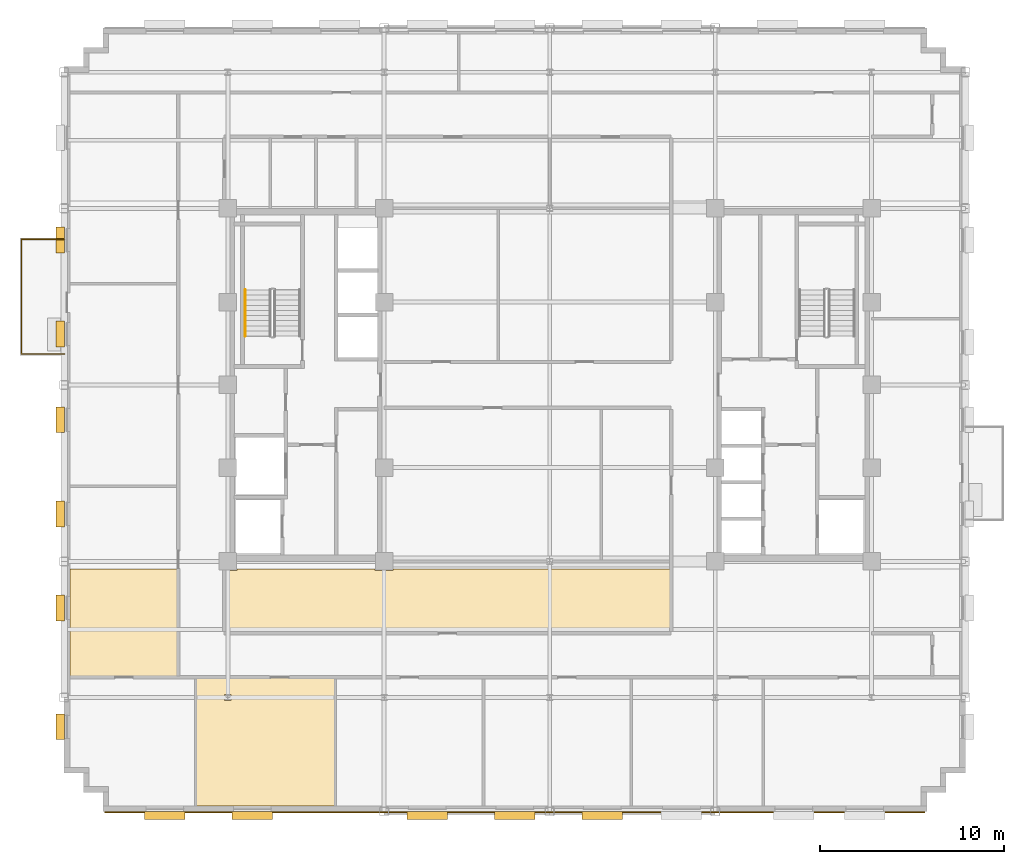
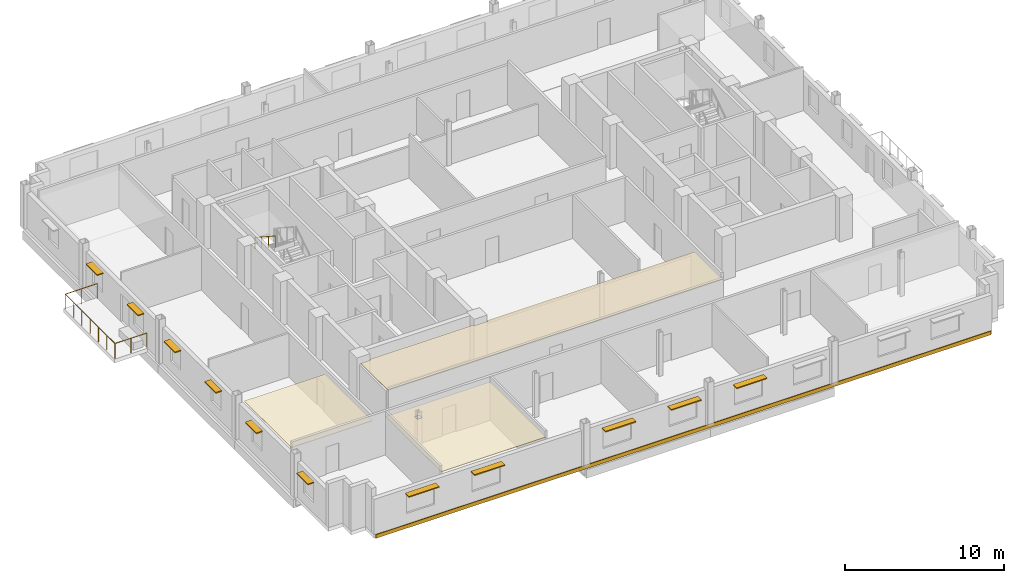
# One storey, part 12 of 15: 11 shading devices, 4 coverings, 2 railings.
"""IFC4 building model written with IfcOpenShell, lengths in metres."""

import ifcopenshell
import ifcopenshell.guid

model = None  # the IFC model being written
_history = None  # IfcOwnerHistory: only IFC2X3 demands one
_inside = {}  # id of a spatial element -> (the spatial element, [elements in it])
_under = {}  # id of a project, library or spatial element -> (it, [spatial elements below it])
_declared = {}  # id of a project -> (the project, [libraries it declares])
_typed = {}  # id of a type object -> (the type object, [elements of that type])
_made_of = {}  # id of a material, layer set ... -> (it, [elements and type objects made of it])


def new_model(schema):
    """Start an empty IFC model of exactly this schema.

    Asked for "IFC4X3", IfcOpenShell would pick the latest addendum, in which some entities
    have other attributes; the version numbers below select the first issue.
    IFC2X3 requires an IfcOwnerHistory on every rooted entity: one is made here for all.
    """
    global model, _history
    if schema == "IFC4X3":
        model = ifcopenshell.file(schema_version=(4, 3, 0, 0))
    else:
        model = ifcopenshell.file(schema=schema)
    _inside.clear()
    _under.clear()
    _declared.clear()
    _typed.clear()
    _made_of.clear()
    _history = None
    if model.schema == "IFC2X3":
        org = make("IfcOrganization", Name="unknown")
        user = make(
            "IfcPersonAndOrganization",
            ThePerson=make("IfcPerson", FamilyName="unknown"),
            TheOrganization=org,
        )
        app = make(
            "IfcApplication",
            ApplicationDeveloper=org,
            Version="unknown",
            ApplicationFullName="unknown",
            ApplicationIdentifier="unknown",
        )
        _history = make(
            "IfcOwnerHistory",
            OwningUser=user,
            OwningApplication=app,
            ChangeAction="ADDED",
            CreationDate=0,
        )
    return model


def make(cls, **values):
    """One entity of the class cls with the attributes given. An attribute that is None is left unset."""
    return model.create_entity(
        cls, **{name: value for name, value in values.items() if value is not None}
    )


def rooted(cls, **values):
    """An entity with a GlobalId (a new one), such as an element, a storey or a relation."""
    return make(cls, GlobalId=ifcopenshell.guid.new(), OwnerHistory=_history, **values)


def si_unit(unit_type, name, prefix=None):
    """IfcSIUnit, for example si_unit("LENGTHUNIT", "METRE", prefix="MILLI")."""
    return make("IfcSIUnit", UnitType=unit_type, Prefix=prefix, Name=name)


def assignment(units):
    """IfcUnitAssignment: the units of a project."""
    return None if units is None else make("IfcUnitAssignment", Units=units)


def point(xyz):
    """IfcCartesianPoint."""
    return None if xyz is None else make("IfcCartesianPoint", Coordinates=xyz)


def direction(xyz):
    """IfcDirection."""
    return None if xyz is None else make("IfcDirection", DirectionRatios=xyz)


def frame(location, z_axis=None, x_axis=None):
    """IfcAxis2Placement3D, a coordinate frame: its origin and axes. An axis left out is left unset."""
    return make(
        "IfcAxis2Placement3D",
        Location=point(location),
        Axis=direction(z_axis),
        RefDirection=direction(x_axis),
    )


def frame_2d(location, x_axis=None):
    """IfcAxis2Placement2D, a coordinate frame in the plane: its origin and x axis."""
    return make(
        "IfcAxis2Placement2D", Location=point(location), RefDirection=direction(x_axis)
    )


def origin():
    """The frame at (0, 0, 0) with its axes left unset."""
    return frame((0.0, 0.0, 0.0))


def origin_2d():
    """The frame at (0, 0) in the plane with its x axis left unset."""
    return frame_2d((0.0, 0.0))


def place(relative_to, where):
    """IfcLocalPlacement: puts the frame where relative to a parent placement (None: the world)."""
    return make(
        "IfcLocalPlacement", PlacementRelTo=relative_to, RelativePlacement=where
    )


def context(
    kind, dimensions, precision=None, world=None, true_north=None, identifier=None
):
    """IfcGeometricRepresentationContext, for example the 3D "Model" context."""
    return make(
        "IfcGeometricRepresentationContext",
        ContextIdentifier=identifier,
        ContextType=kind,
        CoordinateSpaceDimension=dimensions,
        Precision=precision,
        WorldCoordinateSystem=world,
        TrueNorth=true_north,
    )


def subcontext(parent, identifier, kind, view, scale=None):
    """IfcGeometricRepresentationSubContext, for example "Body" below "Model"."""
    return make(
        "IfcGeometricRepresentationSubContext",
        ContextIdentifier=identifier,
        ContextType=kind,
        ParentContext=parent,
        TargetScale=scale,
        TargetView=view,
    )


def project(units=None, contexts=None):
    """IfcProject with its units and contexts."""
    return rooted(
        "IfcProject",
        Name="project",
        RepresentationContexts=contexts,
        UnitsInContext=assignment(units),
    )


def spatial(cls, under=None, at=None, **own):
    """A site, building, storey or space (cls), placed at a placement, below another one or the project."""
    s = rooted(cls, ObjectPlacement=at, **own)
    if under is not None:
        _under.setdefault(under.id(), (under, []))[1].append(s)
    return s


def polyline(points):
    """IfcPolyline through the points."""
    return make("IfcPolyline", Points=[point(p) for p in points])


def profile(cls, at=None, kind="AREA", **sizes):
    """A parametric profile (cls). Its sizes go by their IFC names, for example OverallWidth=200.0."""
    return make(cls, ProfileType=kind, Position=at, **sizes)


def rectangle(**sizes):
    """IfcRectangleProfileDef."""
    return profile("IfcRectangleProfileDef", **sizes)


def circle(**sizes):
    """IfcCircleProfileDef."""
    return profile("IfcCircleProfileDef", **sizes)


def outline(outer, holes=None, kind="AREA"):
    """IfcArbitraryClosedProfileDef: a profile drawn as a closed curve; with holes, ...WithVoids."""
    if holes is None:
        return make("IfcArbitraryClosedProfileDef", ProfileType=kind, OuterCurve=outer)
    return make(
        "IfcArbitraryProfileDefWithVoids",
        ProfileType=kind,
        OuterCurve=outer,
        InnerCurves=holes,
    )


def extrude(swept, where, along, depth):
    """IfcExtrudedAreaSolid: the profile swept, set in the frame where, extruded along a direction by depth."""
    return make(
        "IfcExtrudedAreaSolid",
        SweptArea=swept,
        Position=where,
        ExtrudedDirection=direction(along),
        Depth=depth,
    )


def shape(context_of_items, identifier, shape_type, items):
    """IfcShapeRepresentation: the items that make up one representation, for example the "Body"."""
    return make(
        "IfcShapeRepresentation",
        ContextOfItems=context_of_items,
        RepresentationIdentifier=identifier,
        RepresentationType=shape_type,
        Items=items,
    )


def source(mapping_origin, context_of_items, identifier, shape_type, items):
    """IfcRepresentationMap: a shape defined once, which mapped items show again and again."""
    return make(
        "IfcRepresentationMap",
        MappingOrigin=mapping_origin,
        MappedRepresentation=shape(context_of_items, identifier, shape_type, items),
    )


def transform(
    local_origin,
    x_axis=None,
    y_axis=None,
    z_axis=None,
    scale=None,
    scale2=None,
    scale3=None,
    uniform=True,
):
    """IfcCartesianTransformationOperator3D, or its non-uniform kind. x_axis, y_axis, z_axis: its Axis1, 2, 3."""
    if uniform:
        return make(
            "IfcCartesianTransformationOperator3D",
            Axis1=direction(x_axis),
            Axis2=direction(y_axis),
            LocalOrigin=point(local_origin),
            Scale=scale,
            Axis3=direction(z_axis),
        )
    return make(
        "IfcCartesianTransformationOperator3DnonUniform",
        Axis1=direction(x_axis),
        Axis2=direction(y_axis),
        LocalOrigin=point(local_origin),
        Scale=scale,
        Axis3=direction(z_axis),
        Scale2=scale2,
        Scale3=scale3,
    )


def mapped(mapping_source, mapping_target):
    """IfcMappedItem: shows the shape of a source again, moved by a transform."""
    return make(
        "IfcMappedItem", MappingSource=mapping_source, MappingTarget=mapping_target
    )


def material(Name=None, Category=None):
    """IfcMaterial."""
    return make("IfcMaterial", Name=Name, Category=Category)


def layer(
    of_material, thickness, ventilated=None, Name=None, Category=None, Priority=None
):
    """IfcMaterialLayer: one layer of a wall or slab, of a material (None: an air gap)."""
    return make(
        "IfcMaterialLayer",
        Material=of_material,
        LayerThickness=thickness,
        IsVentilated=ventilated,
        Name=Name,
        Category=Category,
        Priority=Priority,
    )


def layer_set(layers, Name=None):
    """IfcMaterialLayerSet."""
    return make("IfcMaterialLayerSet", MaterialLayers=layers, LayerSetName=Name)


def made_of(thing, what):
    """Note that an element or type object is made of a material, layer set ...; save() writes the relation."""
    if what is not None:
        _made_of.setdefault(what.id(), (what, []))[1].append(thing)
    return thing


def type_object(cls, material=None, **own):
    """A type object (cls), such as IfcWallType, which elements share."""
    return made_of(rooted(cls, **own), material)


def type_shapes(of_type, sources):
    """Give a type object the sources (RepresentationMaps) that its elements show as mapped items."""
    of_type.RepresentationMaps = sources


def element(
    cls,
    number,
    at=None,
    inside=None,
    cuts=None,
    type_object=None,
    material=None,
    context=None,
    identifier="Body",
    shape_type=None,
    held_by="IfcProductDefinitionShape",
    body=None,
    shapes=None,
    **own,
):
    """One element of the class cls, such as IfcWall. Its Tag is "e" and its number.

    at: its placement. inside: the storey or other place that contains it. cuts: it is an
    opening in that element (IfcRelVoidsElement). A single representation is given by context,
    identifier, shape_type and body (its items); several are given by shapes. held_by: the class
    of the entity that holds the representations. save() writes the other relations.
    """
    e = rooted(cls, Tag="e%d" % number, ObjectPlacement=at, **own)
    if body is not None:
        shapes = [shape(context, identifier, shape_type, body)]
    if shapes is not None:
        e.Representation = make(held_by, Representations=shapes)
    if inside is not None:
        _inside.setdefault(inside.id(), (inside, []))[1].append(e)
    if cuts is not None:
        rooted(
            "IfcRelVoidsElement", RelatingBuildingElement=cuts, RelatedOpeningElement=e
        )
    if type_object is not None:
        _typed.setdefault(type_object.id(), (type_object, []))[1].append(e)
    return made_of(e, material)


def aggregate(whole, parts):
    """IfcRelAggregates: a whole, such as a stair, and the parts it consists of."""
    return rooted("IfcRelAggregates", RelatingObject=whole, RelatedObjects=parts)


def save(model, path):
    """Write the relations noted so far, then the file.

    IfcRelAggregates (storeys below a building ...), IfcRelContainedInSpatialStructure (elements
    in a storey), IfcRelDefinesByType, IfcRelAssociatesMaterial and IfcRelDeclares: one each for
    every whole, place, type object, material and project.
    """
    for whole, parts in _under.values():
        aggregate(whole, parts)
    for where, things in _inside.values():
        rooted(
            "IfcRelContainedInSpatialStructure",
            RelatedElements=things,
            RelatingStructure=where,
        )
    for kind, things in _typed.values():
        rooted("IfcRelDefinesByType", RelatedObjects=things, RelatingType=kind)
    for what, things in _made_of.values():
        rooted("IfcRelAssociatesMaterial", RelatedObjects=things, RelatingMaterial=what)
    for by, libraries in _declared.values():
        rooted("IfcRelDeclares", RelatingContext=by, RelatedDefinitions=libraries)
    model.write(path)


model = new_model("IFC4")

# Units and contexts
model_context = context("Model", 3, precision=1e-05, world=origin(), true_north=direction((0.0, 1.0)))
body_context = subcontext(model_context, "Body", "Model", "MODEL_VIEW")
ifc_project = project(units=[si_unit("LENGTHUNIT", "METRE"), si_unit("AREAUNIT", "SQUARE_METRE"), si_unit("VOLUMEUNIT", "CUBIC_METRE"), si_unit("PLANEANGLEUNIT", "RADIAN"), si_unit("MASSUNIT", "GRAM", prefix="KILO")], contexts=[model_context])

# Site, building, storey
site_placement = place(None, origin())
site = spatial("IfcSite", under=ifc_project, at=site_placement, CompositionType="ELEMENT")
building_placement = place(site_placement, origin())
building = spatial("IfcBuilding", under=site, at=building_placement, Name="Nuvemarco Arch Tower", CompositionType="ELEMENT")
storey_placement = place(building_placement, frame((0.0, 0.0, 190.89990234375)))
storey = spatial("IfcBuildingStorey", under=building, at=storey_placement, Name="L50", CompositionType="ELEMENT", Elevation=190.89990234375)

# Coverings
ifc_material_1 = material(Name="Mineral acoustic ceiling tile")
ifc_layer_1 = layer(ifc_material_1, 0.0400390625, Name="COV-ACOUSTIC-CLG")
ifc_layer_set_1 = layer_set([ifc_layer_1], Name="Mineral acoustic ceiling tile")
covering_type_1 = type_object("IfcCoveringType", Name="COV-ACOUSTIC-CLG", PredefinedType="CEILING", material=ifc_layer_set_1)
covering_1_placement = place(storey_placement, frame((0.0, 0.0, 2.85009765625)))
element("IfcCovering", 1, at=covering_1_placement, inside=storey, type_object=covering_type_1, Name="L50 suspended acoustic ceiling 1", PredefinedType="CEILING", context=body_context, shape_type="SweptSolid", body=[
    extrude(outline(polyline([(-9.489990234375, -10.090087890625), (-8.510009765625, -10.090087890625), (-8.510009765625, -10.0), (6.60009765625, -10.0), (6.60009765625, -13.5), (-17.699951171875, -13.5), (-17.699951171875, -10.090087890625), (-17.010009765625, -10.090087890625), (-17.010009765625, -10.0), (-9.489990234375, -10.0), (-9.489990234375, -10.090087890625)])), origin(), (0.0, 0.0, 1.0), 0.0400390625),
])
covering_2_placement = place(storey_placement, frame((0.0, 0.0, 2.85009765625)))
element("IfcCovering", 2, at=covering_2_placement, inside=storey, type_object=covering_type_1, Name="L50 suspended acoustic ceiling 6", PredefinedType="CEILING", context=body_context, shape_type="SweptSolid", body=[
    extrude(outline(polyline([(-20.199951171875, -15.89990234375), (-26.090087890625, -15.89990234375), (-26.090087890625, -10.0), (-20.199951171875, -10.0), (-20.199951171875, -13.5), (-20.199951171875, -15.89990234375)])), origin(), (0.0, 0.0, 1.0), 0.0400390625),
])
covering_3_placement = place(storey_placement, frame((0.0, 0.0, 2.85009765625)))
element("IfcCovering", 3, at=covering_3_placement, inside=storey, type_object=covering_type_1, Name="L50 suspended acoustic ceiling 8", PredefinedType="CEILING", context=body_context, shape_type="SweptSolid", body=[
    extrude(outline(polyline([(-11.64990234375, -22.889892578125), (-19.25, -22.889892578125), (-19.25, -15.89990234375), (-17.699951171875, -15.89990234375), (-11.64990234375, -15.89990234375), (-11.64990234375, -22.889892578125)]), holes=[polyline([(-17.330078125, -16.830078125), (-17.669921875, -16.830078125), (-17.669921875, -17.169921875), (-17.330078125, -17.169921875), (-17.330078125, -16.830078125)])]), origin(), (0.0, 0.0, 1.0), 0.0400390625),
])

# Railings
ifc_material_2 = material(Name="Brushed stainless steel handrail", Category="steel")
railing_type_1 = type_object("IfcRailingType", Name="RL-HANDRAIL-900", PredefinedType="HANDRAIL", material=ifc_material_2)
railing_1_placement = place(storey_placement, frame((-16.550048828125, 5.169921875, 2.007568359375)))
element("IfcRailing", 4, at=railing_1_placement, inside=storey, type_object=railing_type_1, Name="L50 ST-1 stair handrail 2", PredefinedType="HANDRAIL", context=body_context, shape_type="SweptSolid", body=[
    extrude(circle(Radius=0.02392578125, at=origin_2d()), frame((0.0, 0.0, 0.8759765625), z_axis=(0.0, -0.837749427056, 0.546054848405), x_axis=(1.0, 0.0, 0.0)), (0.0, 0.0, 1.0), 3.008056640625),
    extrude(circle(Radius=0.02099609375, at=origin_2d()), origin(), (0.0, 0.0, 1.0), 0.851806640625),
    extrude(circle(Radius=0.02099609375, at=origin_2d()), frame((0.0, -0.840087890625, 0.547607421875)), (0.0, 0.0, 1.0), 0.851806640625),
    extrude(circle(Radius=0.02099609375, at=origin_2d()), frame((0.0, -1.679931640625, 1.094970703125)), (0.0, 0.0, 1.0), 0.851806640625),
    extrude(circle(Radius=0.02099609375, at=origin_2d()), frame((0.0, -2.52001953125, 1.642578125)), (0.0, 0.0, 1.0), 0.851806640625),
])
ifc_material_3 = material(Name="Dark anodised balustrade steel S355", Category="steel")
railing_type_2 = type_object("IfcRailingType", Name="RL-TERR-GUARD", PredefinedType="BALUSTRADE", material=ifc_material_3)
railing_2_placement = place(storey_placement, frame((-26.39990234375, 1.679931640625, 0.0)))
element("IfcRailing", 5, at=railing_2_placement, inside=storey, type_object=railing_type_2, Name="L50 spiral terrace perimeter balustrade guard", PredefinedType="BALUSTRADE", context=body_context, shape_type="SweptSolid", body=[
    extrude(circle(Radius=0.02392578125, at=origin_2d()), frame((0.0, 0.0, 1.1259765625), z_axis=(-1.0, 0.0, 0.0), x_axis=(0.0, -1.0, 0.0)), (0.0, 0.0, 1.0), 2.320068359375),
    extrude(circle(Radius=0.02392578125, at=origin_2d()), frame((-2.320068359375, 0.0, 1.1259765625), z_axis=(0.0, 1.0, 0.0), x_axis=(-1.0, 0.0, 0.0)), (0.0, 0.0, 1.0), 6.239990234375),
    extrude(circle(Radius=0.02392578125, at=origin_2d()), frame((-2.320068359375, 6.239990234375, 1.1259765625), z_axis=(1.0, 0.0, 0.0), x_axis=(0.0, 1.0, 0.0)), (0.0, 0.0, 1.0), 2.320068359375),
    extrude(circle(Radius=0.02099609375, at=origin_2d()), origin(), (0.0, 0.0, 1.0), 1.101806640625),
    extrude(circle(Radius=0.02099609375, at=origin_2d()), frame((-1.16015625, 0.0, 0.0)), (0.0, 0.0, 1.0), 1.101806640625),
    extrude(circle(Radius=0.02099609375, at=origin_2d()), frame((-2.320068359375, 0.0, 0.0)), (0.0, 0.0, 1.0), 1.101806640625),
    extrude(circle(Radius=0.02099609375, at=origin_2d()), frame((-2.320068359375, 1.0400390625, 0.0)), (0.0, 0.0, 1.0), 1.101806640625),
    extrude(circle(Radius=0.02099609375, at=origin_2d()), frame((-2.320068359375, 2.080078125, 0.0)), (0.0, 0.0, 1.0), 1.101806640625),
    extrude(circle(Radius=0.02099609375, at=origin_2d()), frame((-2.320068359375, 3.1201171875, 0.0)), (0.0, 0.0, 1.0), 1.101806640625),
    extrude(circle(Radius=0.02099609375, at=origin_2d()), frame((-2.320068359375, 4.159912109375, 0.0)), (0.0, 0.0, 1.0), 1.101806640625),
    extrude(circle(Radius=0.02099609375, at=origin_2d()), frame((-2.320068359375, 5.199951171875, 0.0)), (0.0, 0.0, 1.0), 1.101806640625),
    extrude(circle(Radius=0.02099609375, at=origin_2d()), frame((-2.320068359375, 6.239990234375, 0.0)), (0.0, 0.0, 1.0), 1.101806640625),
    extrude(circle(Radius=0.02099609375, at=origin_2d()), frame((-1.16015625, 6.239990234375, 0.0)), (0.0, 0.0, 1.0), 1.101806640625),
    extrude(circle(Radius=0.02099609375, at=origin_2d()), frame((0.0, 6.239990234375, 0.0)), (0.0, 0.0, 1.0), 1.101806640625),
])

# Shading devices
ifc_material_4 = material(Name="Anodised aluminium 6063-T6", Category="aluminium")
shading_device_type_1 = type_object("IfcShadingDeviceType", Name="SHD-BRISE-SOLEIL", PredefinedType="USERDEFINED", material=ifc_material_4)
shared_shape_1 = source(origin(), body_context, "Body", "SweptSolid", [
    extrude(rectangle(XDim=2.199951171875, YDim=0.449951171875, at=origin_2d()), origin(), (0.0, 0.0, 1.0), 0.080078125),
])
type_shapes(shading_device_type_1, [shared_shape_1])
for number, where, z_axis, x_axis, name in (
    (6, (-20.922119140625, -23.4150390625, 2.324951171875), (0.0, 0.0, 1.0), (1.0, 0.0, 0.0), "L50 horizontal brise-soleil sunshade"),
    (7, (-16.166748046875, -23.4150390625, 2.324951171875), (0.0, 0.0, 1.0), (1.0, 0.0, 0.0), "L50 horizontal brise-soleil sunshade"),
    (8, (-6.655517578125, -23.4150390625, 2.324951171875), (0.0, 0.0, 1.0), (1.0, 0.0, 0.0), "L50 horizontal brise-soleil sunshade"),
    (9, (-1.89990234375, -23.4150390625, 2.324951171875), (0.0, 0.0, 1.0), (1.0, 0.0, 0.0), "L50 horizontal brise-soleil sunshade"),
    (10, (2.855712890625, -23.4150390625, 2.324951171875), (0.0, 0.0, 1.0), (1.0, 0.0, 0.0), "L50 horizontal brise-soleil sunshade"),
):
    element("IfcShadingDevice", number, at=place(storey_placement, frame(where, z_axis=z_axis, x_axis=x_axis)), inside=storey, type_object=shading_device_type_1, Name=name, ObjectType="SUNSHADE", PredefinedType="USERDEFINED", context=body_context, shape_type="MappedRepresentation", body=[
        mapped(shared_shape_1, transform((0.0, 0.0, 0.0), scale=1.0)),
    ])
shading_device_type_2 = type_object("IfcShadingDeviceType", Name="SHD-BRISE-NARROW", PredefinedType="USERDEFINED", material=ifc_material_4)
shared_shape_2 = source(origin(), body_context, "Body", "SweptSolid", [
    extrude(rectangle(XDim=1.39990234375, YDim=0.449951171875, at=origin_2d()), origin(), (0.0, 0.0, 1.0), 0.080078125),
])
type_shapes(shading_device_type_2, [shared_shape_2])
for number, where, z_axis, x_axis, name in (
    (11, (-26.614990234375, -18.587646484375, 2.324951171875), (0.0, 0.0, 1.0), (0.0, 1.0, 0.0), "L50 horizontal brise-soleil sunshade"),
    (12, (-26.614990234375, -12.125, 2.324951171875), (0.0, 0.0, 1.0), (0.0, 1.0, 0.0), "L50 horizontal brise-soleil sunshade"),
    (13, (-26.614990234375, -7.0126953125, 2.324951171875), (0.0, 0.0, 1.0), (0.0, 1.0, 0.0), "L50 horizontal brise-soleil sunshade"),
    (14, (-26.614990234375, -1.89990234375, 2.324951171875), (0.0, 0.0, 1.0), (0.0, 1.0, 0.0), "L50 horizontal brise-soleil sunshade"),
    (15, (-26.614990234375, 2.7626953125, 2.324951171875), (0.0, 0.0, 1.0), (0.0, 1.0, 0.0), "L50 horizontal brise-soleil sunshade"),
    (16, (-26.614990234375, 7.875, 2.324951171875), (0.0, 0.0, 1.0), (0.0, 1.0, 0.0), "L50 horizontal brise-soleil sunshade"),
):
    element("IfcShadingDevice", number, at=place(storey_placement, frame(where, z_axis=z_axis, x_axis=x_axis)), inside=storey, type_object=shading_device_type_2, Name=name, ObjectType="SUNSHADE", PredefinedType="USERDEFINED", context=body_context, shape_type="MappedRepresentation", body=[
        mapped(shared_shape_2, transform((0.0, 0.0, 0.0), scale=1.0)),
    ])

# Covering
ifc_material_5 = material(Name="Precast concrete C45/55", Category="concrete")
ifc_layer_2 = layer(ifc_material_5, 0.06005859375, Name="COV-SPANDREL-CLAD")
ifc_layer_set_2 = layer_set([ifc_layer_2], Name="Precast concrete C45/55")
covering_type_2 = type_object("IfcCoveringType", Name="COV-SPANDREL-CLAD", PredefinedType="CLADDING", material=ifc_layer_set_2)
shared_shape_3 = source(origin(), body_context, "Body", "SweptSolid", [
    extrude(rectangle(XDim=44.60009765625, YDim=0.06005859375, at=origin_2d()), origin(), (0.0, 0.0, 1.0), 0.280029296875),
])
type_shapes(covering_type_2, [shared_shape_3])
covering_4_placement = place(storey_placement, frame((-1.89990234375, -23.22900390625, -0.27978515625), z_axis=(0.0, 0.0, 1.0), x_axis=(1.0, 0.0, 0.0)))
element("IfcCovering", 17, at=covering_4_placement, inside=storey, type_object=covering_type_2, Name="L50 precast spandrel edge cladding south", PredefinedType="CLADDING", context=body_context, shape_type="MappedRepresentation", body=[
    mapped(shared_shape_3, transform((0.0, 0.0, 0.0), scale=1.0)),
])

save(model, "model.ifc")
